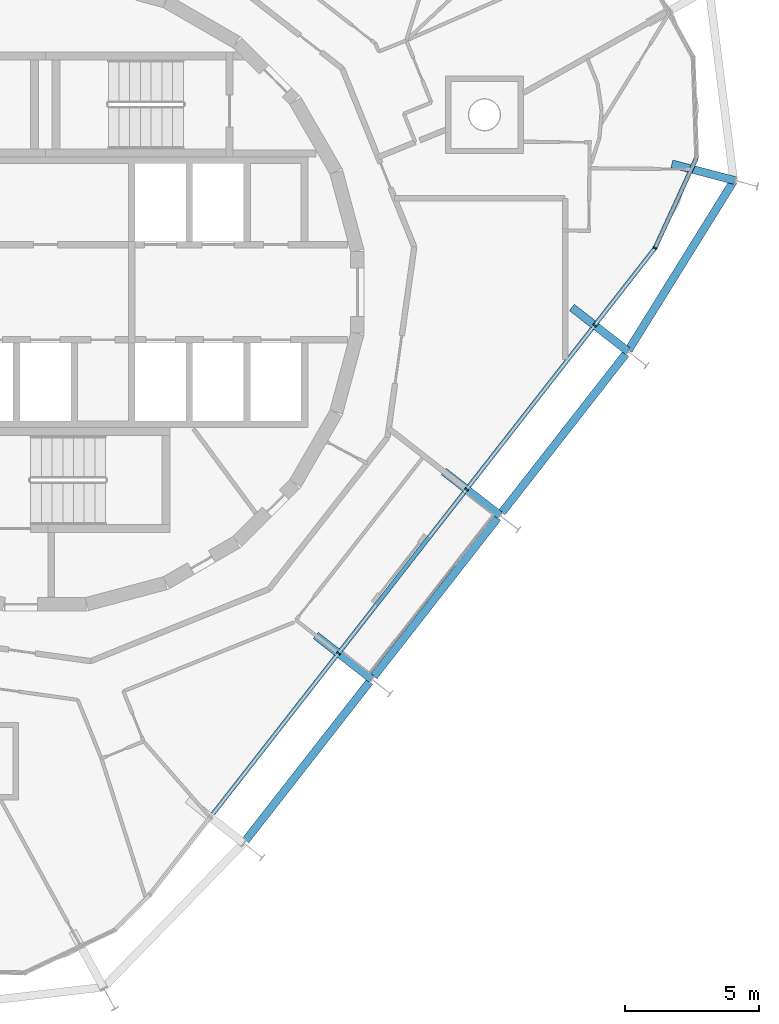
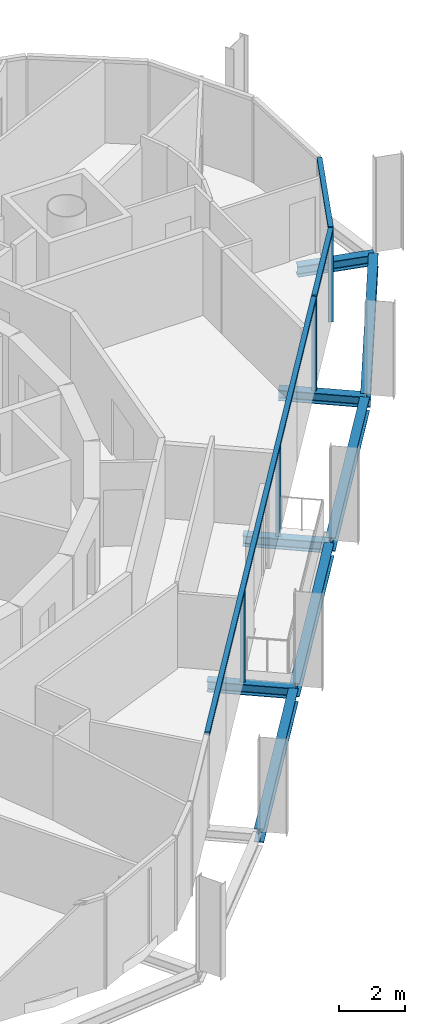
# One storey, part 4 of 15: 8 beams, 7 members, 2 elements without a shape of their own.
"""IFC4 building model written with IfcOpenShell, lengths in metres."""

from ifc_helpers import new_model, si_unit, direction, frame, origin, origin_2d, place, context, subcontext, project, spatial, rectangle, i_section, extrude, material, layer, layer_set, material_profile, profile_set, type_object, element, aggregate, save


model = new_model("IFC4")

# Units and contexts
model_context = context("Model", 3, precision=1e-05, world=origin(), true_north=direction((0.0, 1.0)))
body_context = subcontext(model_context, "Body", "Model", "MODEL_VIEW")
ifc_project = project(units=[si_unit("LENGTHUNIT", "METRE"), si_unit("AREAUNIT", "SQUARE_METRE"), si_unit("VOLUMEUNIT", "CUBIC_METRE"), si_unit("PLANEANGLEUNIT", "RADIAN"), si_unit("MASSUNIT", "GRAM", prefix="KILO")], contexts=[model_context])

# Site, building, storey
site_placement = place(None, origin())
site = spatial("IfcSite", under=ifc_project, at=site_placement, CompositionType="ELEMENT")
building_placement = place(site_placement, origin())
building = spatial("IfcBuilding", under=site, at=building_placement, Name="Spindle Arch Residences", CompositionType="ELEMENT")
storey_placement = place(building_placement, frame((0.0, 0.0, 336.5)))
storey = spatial("IfcBuildingStorey", under=building, at=storey_placement, Name="L86", CompositionType="ELEMENT", Elevation=336.5)

# Curtain wall, members
ifc_material_1 = material(Name="Aluminium bronze unitised frame with tinted glass", Category="aluminium")
ifc_layer_1 = layer(ifc_material_1, 0.159912109375)
ifc_layer_set_1 = layer_set([ifc_layer_1], Name="CW-D corner wall on the fillet arcs")
curtain_wall_type_1 = type_object("IfcCurtainWallType", Name="CW-D corner wall on the fillet arcs", PredefinedType="NOTDEFINED", material=ifc_layer_set_1)
curtain_wall_1_placement = place(storey_placement, origin())
curtain_wall_1 = element("IfcCurtainWall", 1, at=curtain_wall_1_placement, inside=storey, type_object=curtain_wall_type_1, Name="CW-D L86 run 1", PredefinedType="NOTDEFINED")
ifc_material_2 = material(Name="Aluminium bronze anodised mullion", Category="aluminium")
ifc_material_profile_1 = material_profile(ifc_material_2, rectangle(XDim=0.159912109375, YDim=0.06005859375, at=origin_2d()), Name="MU 60x160")
ifc_profile_set_1 = profile_set([ifc_material_profile_1], Name="Aluminium bronze anodised mullion")
member_type_1 = type_object("IfcMemberType", Name="Bronze mullion 60x160", PredefinedType="MULLION", material=ifc_profile_set_1)
member_1_placement = place(storey_placement, frame((20.50341796875, -1.237060546875, -0.3798828125), z_axis=(0.0, 0.0, 1.0), x_axis=(-0.788010753607, 0.615661475326, 0.0)))
member_1 = element("IfcMember", 2, at=member_1_placement, type_object=member_type_1, Name="CW-D mullion 00", PredefinedType="MULLION", context=body_context, shape_type="SweptSolid", body=[
    extrude(rectangle(XDim=0.159912109375, YDim=0.06005859375, at=origin_2d()), origin(), (0.0, 0.0, 1.0), 3.3798828125),
])
member_2_placement = place(storey_placement, frame((22.7568359375, 1.647216796875, -0.3798828125), z_axis=(0.0, 0.0, 1.0), x_axis=(-0.908751129947, 0.417338452362, 0.0)))
member_2 = element("IfcMember", 3, at=member_2_placement, type_object=member_type_1, Name="CW-D mullion 01", PredefinedType="MULLION", context=body_context, shape_type="SweptSolid", body=[
    extrude(rectangle(XDim=0.159912109375, YDim=0.06005859375, at=origin_2d()), origin(), (0.0, 0.0, 1.0), 3.3798828125),
])

ifc_material_3 = material(Name="Aluminium bronze unitised frame with tinted glass", Category="aluminium")
ifc_layer_2 = layer(ifc_material_3, 0.159912109375)
ifc_layer_set_2 = layer_set([ifc_layer_2], Name="CW-C typical residential unitised wall")
curtain_wall_type_2 = type_object("IfcCurtainWallType", Name="CW-C typical residential unitised wall", PredefinedType="NOTDEFINED", material=ifc_layer_set_2)
curtain_wall_2_placement = place(storey_placement, origin())
curtain_wall_2 = element("IfcCurtainWall", 4, at=curtain_wall_2_placement, inside=storey, type_object=curtain_wall_type_2, Name="CW-C L86 run 6", PredefinedType="NOTDEFINED")
member_3_placement = place(storey_placement, frame((10.94140625, -13.4755859375, -0.3798828125), z_axis=(0.0, 0.0, 1.0), x_axis=(-0.788010753607, 0.615661475326, 0.0)))
member_3 = element("IfcMember", 5, at=member_3_placement, type_object=member_type_1, Name="CW-C mullion 19", PredefinedType="MULLION", context=body_context, shape_type="SweptSolid", body=[
    extrude(rectangle(XDim=0.159912109375, YDim=0.06005859375, at=origin_2d()), origin(), (0.0, 0.0, 1.0), 3.3798828125),
])
member_4_placement = place(storey_placement, frame((15.722412109375, -7.3564453125, -0.3798828125), z_axis=(0.0, 0.0, 1.0), x_axis=(-0.788010753607, 0.615661475326, 0.0)))
member_4 = element("IfcMember", 6, at=member_4_placement, type_object=member_type_1, Name="CW-C mullion 00", PredefinedType="MULLION", context=body_context, shape_type="SweptSolid", body=[
    extrude(rectangle(XDim=0.159912109375, YDim=0.06005859375, at=origin_2d()), origin(), (0.0, 0.0, 1.0), 3.3798828125),
])

# Member
ifc_material_4 = material(Name="Aluminium bronze anodised transom", Category="aluminium")
ifc_material_profile_2 = material_profile(ifc_material_4, rectangle(XDim=0.159912109375, YDim=0.1201171875, at=origin_2d()), Name="TR 120x160")
ifc_profile_set_2 = profile_set([ifc_material_profile_2], Name="Aluminium bronze anodised transom")
member_type_2 = type_object("IfcMemberType", Name="Bronze transom 120x160", PredefinedType="USERDEFINED", material=ifc_profile_set_2)
member_5_placement = place(storey_placement, frame((20.521728515625, -1.21337890625, 3.06005859375), z_axis=(0.615647989673, 0.788021289568, 0.0), x_axis=(-0.788021289568, 0.615647989673, 0.0)))
member_5 = element("IfcMember", 7, at=member_5_placement, type_object=member_type_2, Name="CW-D transom 00", ObjectType="TRANSOM", PredefinedType="USERDEFINED", context=body_context, shape_type="SweptSolid", body=[
    extrude(rectangle(XDim=0.159912109375, YDim=0.1201171875, at=origin_2d()), origin(), (0.0, 0.0, 1.0), 3.600341796875),
])

member_6_placement = place(storey_placement, frame((22.769287109375, 1.674560546875, 3.06005859375), z_axis=(0.417326323855, 0.908756699792, 0.0), x_axis=(-0.908756699792, 0.417326323855, 0.0)))
member_6 = element("IfcMember", 8, at=member_6_placement, type_object=member_type_2, Name="CW-D transom 01", ObjectType="TRANSOM", PredefinedType="USERDEFINED", context=body_context, shape_type="SweptSolid", body=[
    extrude(rectangle(XDim=0.159912109375, YDim=0.1201171875, at=origin_2d()), origin(), (0.0, 0.0, 1.0), 3.666748046875),
])

aggregate(curtain_wall_1, [member_1, member_5, member_2, member_6])

member_7_placement = place(storey_placement, frame((6.178955078125, -19.571533203125, 3.06005859375), z_axis=(0.615655051857, 0.788015772128, 0.0), x_axis=(-0.788015772128, 0.615655051857, 0.0)))
member_7 = element("IfcMember", 9, at=member_7_placement, type_object=member_type_2, Name="CW-C transom 00", ObjectType="TRANSOM", PredefinedType="USERDEFINED", context=body_context, shape_type="SweptSolid", body=[
    extrude(rectangle(XDim=0.159912109375, YDim=0.1201171875, at=origin_2d()), origin(), (0.0, 0.0, 1.0), 23.23681640625),
])

aggregate(curtain_wall_2, [member_7, member_3, member_4])

# Beams
ifc_material_5 = material(Name="Steel S460ML, intumescent coating R 120", Category="steel")
ifc_material_profile_3 = material_profile(ifc_material_5, i_section(OverallWidth=0.300048828125, OverallDepth=0.5, WebThickness=0.014404296875, FlangeThickness=0.028076171875, FilletRadius=0.027099609375, at=origin_2d()), Name="HEB 500")
ifc_profile_set_3 = profile_set([ifc_material_profile_3], Name="Steel S460ML, intumescent coating R 120")
beam_type_1 = type_object("IfcBeamType", Name="Exoskeleton edge beam HEB 500", PredefinedType="BEAM", material=ifc_profile_set_3)
beam_1_placement = place(storey_placement, frame((17.03955078125, -8.220458984375, -0.6298828125), z_axis=(0.615652879069, 0.788017469663, 0.0), x_axis=(-0.788017469663, 0.615652879069, 0.0)))
element("IfcBeam", 10, at=beam_1_placement, inside=storey, type_object=beam_type_1, Name="Exoskeleton edge beam 1", PredefinedType="BEAM", context=body_context, shape_type="SweptSolid", body=[
    extrude(i_section(OverallWidth=0.300048828125, OverallDepth=0.5, WebThickness=0.014404296875, FlangeThickness=0.028076171875, FilletRadius=0.027099609375, at=origin_2d()), origin(), (0.0, 0.0, 1.0), 7.505615234375),
])
beam_2_placement = place(storey_placement, frame((21.760498046875, -2.17041015625, -0.6298828125), z_axis=(0.527890607505, 0.849312372751, 0.0), x_axis=(-0.849312372751, 0.527890607505, 0.0)))
element("IfcBeam", 11, at=beam_2_placement, inside=storey, type_object=beam_type_1, Name="Exoskeleton edge beam 2", PredefinedType="BEAM", context=body_context, shape_type="SweptSolid", body=[
    extrude(i_section(OverallWidth=0.300048828125, OverallDepth=0.5, WebThickness=0.014404296875, FlangeThickness=0.028076171875, FilletRadius=0.027099609375, at=origin_2d()), origin(), (0.0, 0.0, 1.0), 7.437744140625),
])
for number, where, z_axis, x_axis, name in (
    (12, (7.4775390625, -20.459228515625, -0.6298828125), (0.615673077274, 0.788001689034, 0.0), (-0.788001689034, 0.615673077274, 0.0), "Exoskeleton edge beam 19"),
    (13, (12.258544921875, -14.33984375, -0.6298828125), (0.615673077274, 0.788001689034, 0.0), (-0.788001689034, 0.615673077274, 0.0), "Exoskeleton edge beam 20"),
):
    element("IfcBeam", number, at=place(storey_placement, frame(where, z_axis=z_axis, x_axis=x_axis)), inside=storey, type_object=beam_type_1, Name=name, PredefinedType="BEAM", context=body_context, shape_type="SweptSolid", body=[
        extrude(i_section(OverallWidth=0.300048828125, OverallDepth=0.5, WebThickness=0.014404296875, FlangeThickness=0.028076171875, FilletRadius=0.027099609375, at=origin_2d()), origin(), (0.0, 0.0, 1.0), 7.505859375),
    ])
ifc_material_6 = material(Name="Steel S460ML, intumescent coating R 120", Category="steel")
ifc_material_profile_4 = material_profile(ifc_material_6, i_section(OverallWidth=0.300048828125, OverallDepth=0.389892578125, WebThickness=0.010986328125, FlangeThickness=0.01904296875, FilletRadius=0.027099609375, at=origin_2d()), Name="HEA 400")
ifc_profile_set_4 = profile_set([ifc_material_profile_4], Name="Steel S460ML, intumescent coating R 120")
beam_type_2 = type_object("IfcBeamType", Name="Floor outrigger HEA 400", PredefinedType="BEAM", material=ifc_profile_set_4)
beam_3_placement = place(storey_placement, frame((16.959716796875, -8.322998046875, -0.574951171875), z_axis=(-0.788015993799, 0.615654768127, 0.0), x_axis=(-0.615654768127, -0.788015993799, 0.0)))
element("IfcBeam", 14, at=beam_3_placement, inside=storey, type_object=beam_type_2, Name="Floor outrigger 1", PredefinedType="BEAM", context=body_context, shape_type="SweptSolid", body=[
    extrude(i_section(OverallWidth=0.300048828125, OverallDepth=0.389892578125, WebThickness=0.010986328125, FlangeThickness=0.01904296875, FilletRadius=0.027099609375, at=origin_2d()), origin(), (0.0, 0.0, 1.0), 2.650146484375),
])
beam_4_placement = place(storey_placement, frame((21.740478515625, -2.20361328125, -0.574951171875), z_axis=(-0.787981072726, 0.615699463233, 0.0), x_axis=(-0.615699463233, -0.787981072726, 0.0)))
element("IfcBeam", 15, at=beam_4_placement, inside=storey, type_object=beam_type_2, Name="Floor outrigger 2", PredefinedType="BEAM", context=body_context, shape_type="SweptSolid", body=[
    extrude(i_section(OverallWidth=0.300048828125, OverallDepth=0.389892578125, WebThickness=0.010986328125, FlangeThickness=0.01904296875, FilletRadius=0.027099609375, at=origin_2d()), origin(), (0.0, 0.0, 1.0), 2.64990234375),
])
beam_5_placement = place(storey_placement, frame((25.723388671875, 4.17138671875, -0.574951171875), z_axis=(-0.967207729223, 0.253986630616, 0.0), x_axis=(-0.253986630616, -0.967207729223, 0.0)))
element("IfcBeam", 16, at=beam_5_placement, inside=storey, type_object=beam_type_2, Name="Floor outrigger 3", PredefinedType="BEAM", context=body_context, shape_type="SweptSolid", body=[
    extrude(i_section(OverallWidth=0.300048828125, OverallDepth=0.389892578125, WebThickness=0.010986328125, FlangeThickness=0.01904296875, FilletRadius=0.027099609375, at=origin_2d()), origin(), (0.0, 0.0, 1.0), 2.41943359375),
])
beam_6_placement = place(storey_placement, frame((12.1787109375, -14.4423828125, -0.574951171875), z_axis=(-0.788015993799, 0.615654768127, 0.0), x_axis=(-0.615654768127, -0.788015993799, 0.0)))
element("IfcBeam", 17, at=beam_6_placement, inside=storey, type_object=beam_type_2, Name="Floor outrigger 20", PredefinedType="BEAM", context=body_context, shape_type="SweptSolid", body=[
    extrude(i_section(OverallWidth=0.300048828125, OverallDepth=0.389892578125, WebThickness=0.010986328125, FlangeThickness=0.01904296875, FilletRadius=0.027099609375, at=origin_2d()), origin(), (0.0, 0.0, 1.0), 2.650146484375),
])

save(model, "model.ifc")
